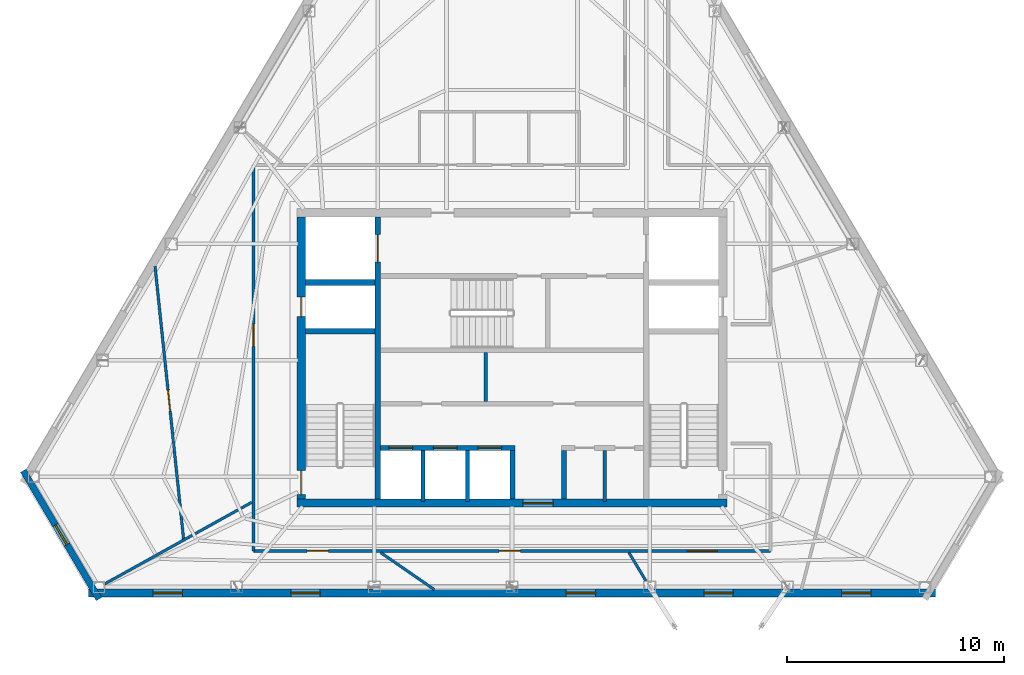
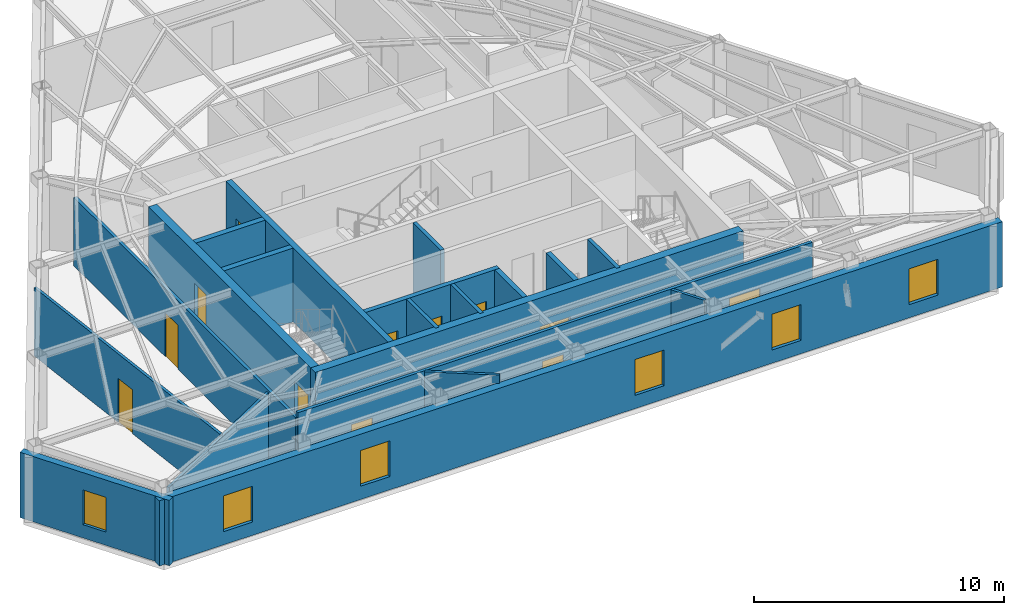
# One storey, part 7 of 10: 20 walls, 12 doors, 6 windows, 18 openings.
"""IFC4 building model written with IfcOpenShell, lengths in metres."""

from ifc_helpers import new_model, si_unit, direction, frame, frame_2d, origin, place, context, subcontext, project, spatial, rectangle, extrude, material, layer, layer_set, type_object, element, fill, save


model = new_model("IFC4")

# Units and contexts
model_context = context("Model", 3, precision=1e-05, world=origin(), true_north=direction((0.0, 1.0)))
body_context = subcontext(model_context, "Body", "Model", "MODEL_VIEW")
ifc_project = project(units=[si_unit("LENGTHUNIT", "METRE"), si_unit("AREAUNIT", "SQUARE_METRE"), si_unit("VOLUMEUNIT", "CUBIC_METRE"), si_unit("PLANEANGLEUNIT", "RADIAN"), si_unit("MASSUNIT", "GRAM", prefix="KILO")], contexts=[model_context])

# Site, building, storey
site_placement = place(None, origin())
site = spatial("IfcSite", under=ifc_project, at=site_placement, CompositionType="ELEMENT")
building_placement = place(site_placement, origin())
building = spatial("IfcBuilding", under=site, at=building_placement, Name="Kavelnor Concourse Tower", CompositionType="ELEMENT")
storey_placement = place(building_placement, frame((0.0, 0.0, 274.14990234375)))
storey = spatial("IfcBuildingStorey", under=building, at=storey_placement, Name="L69", CompositionType="ELEMENT", Elevation=274.14990234375)

# Wall, opening, door
ifc_material_1 = material(Name="Concrete C50/60", Category="concrete")
ifc_layer_1 = layer(ifc_material_1, 0.3798828125, Name="Concrete C50/60")
ifc_layer_set_1 = layer_set([ifc_layer_1], Name="Concrete C50/60")
wall_type_1 = type_object("IfcWallType", Name="WL-CORE-Z4-380", PredefinedType="SOLIDWALL", material=ifc_layer_set_1)
wall_1_placement = place(storey_placement, frame((28.10009765625, 9.409912109375, 0.0), z_axis=(0.0, 0.0, 1.0), x_axis=(1.0, 0.0, 0.0)))
wall_1 = element("IfcWall", 1, at=wall_1_placement, inside=storey, type_object=wall_type_1, Name="L69 Central Core South Shear Wall", PredefinedType="SOLIDWALL", context=body_context, shape_type="SweptSolid", body=[
    extrude(rectangle(XDim=19.7998046875, YDim=0.3798828125, at=frame_2d((9.89990234375, 0.0))), origin(), (0.0, 0.0, 1.0), 3.610107421875),
])
opening_1_placement = place(wall_1_placement, frame((10.39990234375, 0.0, 0.0)))
opening_1 = element("IfcOpeningElement", 2, at=opening_1_placement, cuts=wall_1, Name="Opening SD-140", PredefinedType="OPENING", context=body_context, shape_type="SweptSolid", body=[
    extrude(rectangle(XDim=1.39990234375, YDim=2.199951171875, at=frame_2d((0.699951171875, 1.10009765625))), frame((0.0, 0.199951171875, 0.0), z_axis=(0.0, -1.0, 0.0), x_axis=(1.0, 0.0, 0.0)), (0.0, 0.0, 1.0), 0.39990234375),
])
ifc_material_2 = material(Name="Solid-core hardwood timber", Category="wood")
door_type_1 = type_object("IfcDoorType", Name="DR-SUITE-ENTRY-1400", OperationType="NOTDEFINED", PredefinedType="DOOR", material=ifc_material_2)
door_1_placement = place(opening_1_placement, origin())
door_1 = element("IfcDoor", 3, at=door_1_placement, inside=storey, type_object=door_type_1, Name="L69 Passenger Lift Lobby Entry Door", OperationType="SINGLE_SWING_RIGHT", OverallHeight=2.199951171875, OverallWidth=1.39990234375, PredefinedType="DOOR", context=body_context, shape_type="SweptSolid", body=[
    extrude(rectangle(XDim=1.39990234375, YDim=2.199951171875, at=frame_2d((0.699951171875, 1.10009765625))), frame((0.0, 0.02490234375, 0.0), z_axis=(0.0, -1.0, 0.0), x_axis=(1.0, 0.0, 0.0)), (0.0, 0.0, 1.0), 0.050048828125),
])
fill(opening_1, door_1)

# Wall, openings, doors
wall_2_placement = place(storey_placement, frame((28.2900390625, 9.60009765625, 0.0), z_axis=(0.0, 0.0, 1.0), x_axis=(0.0, 1.0, 0.0)))
wall_2 = element("IfcWall", 4, at=wall_2_placement, inside=storey, type_object=wall_type_1, Name="L69 Central Core West Shear Wall", PredefinedType="SOLIDWALL", context=body_context, shape_type="SweptSolid", body=[
    extrude(rectangle(XDim=13.0, YDim=0.3798828125, at=frame_2d((6.5, 0.0))), origin(), (0.0, 0.0, 1.0), 3.610107421875),
])
opening_2_placement = place(wall_2_placement, frame((0.199951171875, 0.0, 0.0)))
opening_2 = element("IfcOpeningElement", 5, at=opening_2_placement, cuts=wall_2, Name="Opening FD-110", PredefinedType="OPENING", context=body_context, shape_type="SweptSolid", body=[
    extrude(rectangle(XDim=1.10009765625, YDim=2.14990234375, at=frame_2d((0.550048828125, 1.074951171875))), frame((0.0, 0.199951171875, 0.0), z_axis=(0.0, -1.0, 0.0), x_axis=(1.0, 0.0, 0.0)), (0.0, 0.0, 1.0), 0.39990234375),
])
opening_3_placement = place(wall_2_placement, frame((8.39990234375, 0.0, 0.0)))
opening_3 = element("IfcOpeningElement", 6, at=opening_3_placement, cuts=wall_2, Name="Opening FD-090", PredefinedType="OPENING", context=body_context, shape_type="SweptSolid", body=[
    extrude(rectangle(XDim=0.89990234375, YDim=2.10009765625, at=frame_2d((0.449951171875, 1.050048828125))), frame((0.0, 0.199951171875, 0.0), z_axis=(0.0, -1.0, 0.0), x_axis=(1.0, 0.0, 0.0)), (0.0, 0.0, 1.0), 0.39990234375),
])
ifc_material_3 = material(Name="Steel Grade 350", Category="steel")
door_type_2 = type_object("IfcDoorType", Name="DR-RISER-FIRE-900", OperationType="NOTDEFINED", PredefinedType="DOOR", material=ifc_material_3)
door_2_placement = place(opening_3_placement, origin())
door_2 = element("IfcDoor", 7, at=door_2_placement, inside=storey, type_object=door_type_2, Name="L69 West Riser Access Door", OperationType="SINGLE_SWING_RIGHT", OverallHeight=2.10009765625, OverallWidth=0.89990234375, PredefinedType="DOOR", context=body_context, shape_type="SweptSolid", body=[
    extrude(rectangle(XDim=0.89990234375, YDim=2.10009765625, at=frame_2d((0.449951171875, 1.050048828125))), frame((0.0, 0.02490234375, 0.0), z_axis=(0.0, -1.0, 0.0), x_axis=(1.0, 0.0, 0.0)), (0.0, 0.0, 1.0), 0.050048828125),
])
fill(opening_3, door_2)
door_type_3 = type_object("IfcDoorType", Name="DR-STAIR-FIRE-1100", OperationType="NOTDEFINED", PredefinedType="DOOR", material=ifc_material_3)
door_3_placement = place(opening_2_placement, origin())
door_3 = element("IfcDoor", 8, at=door_3_placement, inside=storey, type_object=door_type_3, Name="L69 Stair ST1 Fire Door", OperationType="SINGLE_SWING_LEFT", OverallHeight=2.14990234375, OverallWidth=1.10009765625, PredefinedType="DOOR", context=body_context, shape_type="SweptSolid", body=[
    extrude(rectangle(XDim=1.10009765625, YDim=2.14990234375, at=frame_2d((0.550048828125, 1.074951171875))), frame((0.0, 0.02490234375, 0.0), z_axis=(0.0, -1.0, 0.0), x_axis=(1.0, 0.0, 0.0)), (0.0, 0.0, 1.0), 0.050048828125),
])
fill(opening_2, door_3)

# Wall, opening, window
ifc_material_4 = material(Name="Buff ironspot clay face brick masonry", Category="masonry")
ifc_layer_2 = layer(ifc_material_4, 0.300048828125, Name="Buff ironspot clay face brick masonry")
ifc_layer_set_2 = layer_set([ifc_layer_2], Name="Buff ironspot clay face brick masonry")
wall_type_2 = type_object("IfcWallType", Name="WL-EXT-BUFF-BRICK-FOLD-300", PredefinedType="STANDARD", material=ifc_layer_set_2)
wall_3_placement = place(storey_placement, frame((18.977294921875, 4.991455078125, 0.0), z_axis=(0.0, 0.0, 1.0), x_axis=(-0.508725717469, 0.86092865232, 0.0)))
wall_3 = element("IfcWall", 9, at=wall_3_placement, inside=storey, type_object=wall_type_2, Name="L69 Exterior Brick Facade Wall E2", PredefinedType="STANDARD", context=body_context, shape_type="SweptSolid", body=[
    extrude(rectangle(XDim=6.864501953125, YDim=0.300048828125, at=frame_2d((3.43212890625, 0.0))), origin(), (0.0, 0.0, 1.0), 3.196044921875),
])
opening_4_placement = place(wall_3_placement, frame((2.9072265625, 0.0, 0.64990234375)))
opening_4 = element("IfcOpeningElement", 10, at=opening_4_placement, cuts=wall_3, Name="Opening W-06", PredefinedType="OPENING", context=body_context, shape_type="SweptSolid", body=[
    extrude(rectangle(XDim=1.050048828125, YDim=1.699951171875, at=frame_2d((0.52490234375, 0.85009765625))), frame((0.0, 0.16015625, 0.0), z_axis=(0.0, -1.0, 0.0), x_axis=(1.0, 0.0, 0.0)), (0.0, 0.0, 1.0), 0.320068359375),
])
ifc_material_5 = material(Name="Double low-E argon insulated glazing", Category="glass")
window_type_1 = type_object("IfcWindowType", Name="WIN-FOLD-1050", PartitioningType="SINGLE_PANEL", PredefinedType="WINDOW", material=ifc_material_5)
window_1_placement = place(opening_4_placement, origin())
window_1 = element("IfcWindow", 11, at=window_1_placement, inside=storey, type_object=window_type_1, Name="L69 Chamfer-Fold Facet Window C1", OverallHeight=1.699951171875, OverallWidth=1.050048828125, PartitioningType="SINGLE_PANEL", PredefinedType="WINDOW", context=body_context, shape_type="SweptSolid", body=[
    extrude(rectangle(XDim=1.050048828125, YDim=1.699951171875, at=frame_2d((0.52490234375, 0.85009765625))), frame((0.0, 0.030029296875, 0.0), z_axis=(0.0, -1.0, 0.0), x_axis=(1.0, 0.0, 0.0)), (0.0, 0.0, 1.0), 0.06005859375),
])
fill(opening_4, window_1)

# Wall, openings, windows
ifc_material_6 = material(Name="Red-ochre clay face brick masonry", Category="masonry")
ifc_layer_3 = layer(ifc_material_6, 0.35009765625, Name="Red-ochre clay face brick masonry")
ifc_layer_set_3 = layer_set([ifc_layer_3], Name="Red-ochre clay face brick masonry")
wall_type_3 = type_object("IfcWallType", Name="WL-EXT-RED-BRICK-PIER-350", PredefinedType="STANDARD", material=ifc_layer_set_3)
wall_4_placement = place(storey_placement, frame((57.50537109375, 5.266845703125, 0.0), z_axis=(0.0, 0.0, 1.0), x_axis=(-1.0, 0.0, 0.0)))
wall_4 = element("IfcWall", 12, at=wall_4_placement, inside=storey, type_object=wall_type_3, Name="L69 Exterior Brick Facade Wall E3", PredefinedType="STANDARD", context=body_context, shape_type="SweptSolid", body=[
    extrude(rectangle(XDim=39.0107421875, YDim=0.35009765625, at=frame_2d((19.50537109375, 0.0))), origin(), (0.0, 0.0, 1.0), 3.196044921875),
])
opening_5_placement = place(wall_4_placement, frame((34.689697265625, 0.0, 0.64990234375)))
opening_5 = element("IfcOpeningElement", 13, at=opening_5_placement, cuts=wall_4, Name="Opening W-04", PredefinedType="OPENING", context=body_context, shape_type="SweptSolid", body=[
    extrude(rectangle(XDim=1.35009765625, YDim=1.75, at=frame_2d((0.675048828125, 0.875))), frame((0.0, 0.18505859375, 0.0), z_axis=(0.0, -1.0, 0.0), x_axis=(1.0, 0.0, 0.0)), (0.0, 0.0, 1.0), 0.3701171875),
])
opening_6_placement = place(wall_4_placement, frame((28.345947265625, 0.0, 0.64990234375)))
opening_6 = element("IfcOpeningElement", 14, at=opening_6_placement, cuts=wall_4, Name="Opening W-04", PredefinedType="OPENING", context=body_context, shape_type="SweptSolid", body=[
    extrude(rectangle(XDim=1.35009765625, YDim=1.75, at=frame_2d((0.675048828125, 0.875))), frame((0.0, 0.18505859375, 0.0), z_axis=(0.0, -1.0, 0.0), x_axis=(1.0, 0.0, 0.0)), (0.0, 0.0, 1.0), 0.3701171875),
])
opening_7_placement = place(wall_4_placement, frame((15.658447265625, 0.0, 0.64990234375)))
opening_7 = element("IfcOpeningElement", 15, at=opening_7_placement, cuts=wall_4, Name="Opening W-04", PredefinedType="OPENING", context=body_context, shape_type="SweptSolid", body=[
    extrude(rectangle(XDim=1.35009765625, YDim=1.75, at=frame_2d((0.675048828125, 0.875))), frame((0.0, 0.18505859375, 0.0), z_axis=(0.0, -1.0, 0.0), x_axis=(1.0, 0.0, 0.0)), (0.0, 0.0, 1.0), 0.3701171875),
])
opening_8_placement = place(wall_4_placement, frame((9.314697265625, 0.0, 0.64990234375)))
opening_8 = element("IfcOpeningElement", 16, at=opening_8_placement, cuts=wall_4, Name="Opening W-04", PredefinedType="OPENING", context=body_context, shape_type="SweptSolid", body=[
    extrude(rectangle(XDim=1.35009765625, YDim=1.75, at=frame_2d((0.675048828125, 0.875))), frame((0.0, 0.18505859375, 0.0), z_axis=(0.0, -1.0, 0.0), x_axis=(1.0, 0.0, 0.0)), (0.0, 0.0, 1.0), 0.3701171875),
])
opening_9_placement = place(wall_4_placement, frame((2.970703125, 0.0, 0.64990234375)))
opening_9 = element("IfcOpeningElement", 17, at=opening_9_placement, cuts=wall_4, Name="Opening W-04", PredefinedType="OPENING", context=body_context, shape_type="SweptSolid", body=[
    extrude(rectangle(XDim=1.35009765625, YDim=1.75, at=frame_2d((0.675048828125, 0.875))), frame((0.0, 0.18505859375, 0.0), z_axis=(0.0, -1.0, 0.0), x_axis=(1.0, 0.0, 0.0)), (0.0, 0.0, 1.0), 0.3701171875),
])
window_type_2 = type_object("IfcWindowType", Name="WIN-PIER-Z4-1350", PartitioningType="SINGLE_PANEL", PredefinedType="WINDOW", material=ifc_material_5)
window_2_placement = place(opening_5_placement, origin())
window_2 = element("IfcWindow", 18, at=window_2_placement, inside=storey, type_object=window_type_2, Name="L69 Deep-Set Brick Pier Window F1-B0", OverallHeight=1.75, OverallWidth=1.35009765625, PartitioningType="SINGLE_PANEL", PredefinedType="WINDOW", context=body_context, shape_type="SweptSolid", body=[
    extrude(rectangle(XDim=1.35009765625, YDim=1.75, at=frame_2d((0.675048828125, 0.875))), frame((0.0, 0.030029296875, 0.0), z_axis=(0.0, -1.0, 0.0), x_axis=(1.0, 0.0, 0.0)), (0.0, 0.0, 1.0), 0.06005859375),
])
fill(opening_5, window_2)
window_3_placement = place(opening_6_placement, origin())
window_3 = element("IfcWindow", 19, at=window_3_placement, inside=storey, type_object=window_type_2, Name="L69 Deep-Set Brick Pier Window F1-B1", OverallHeight=1.75, OverallWidth=1.35009765625, PartitioningType="SINGLE_PANEL", PredefinedType="WINDOW", context=body_context, shape_type="SweptSolid", body=[
    extrude(rectangle(XDim=1.35009765625, YDim=1.75, at=frame_2d((0.675048828125, 0.875))), frame((0.0, 0.030029296875, 0.0), z_axis=(0.0, -1.0, 0.0), x_axis=(1.0, 0.0, 0.0)), (0.0, 0.0, 1.0), 0.06005859375),
])
fill(opening_6, window_3)
window_4_placement = place(opening_7_placement, origin())
window_4 = element("IfcWindow", 20, at=window_4_placement, inside=storey, type_object=window_type_2, Name="L69 Deep-Set Brick Pier Window F1-B3", OverallHeight=1.75, OverallWidth=1.35009765625, PartitioningType="SINGLE_PANEL", PredefinedType="WINDOW", context=body_context, shape_type="SweptSolid", body=[
    extrude(rectangle(XDim=1.35009765625, YDim=1.75, at=frame_2d((0.675048828125, 0.875))), frame((0.0, 0.030029296875, 0.0), z_axis=(0.0, -1.0, 0.0), x_axis=(1.0, 0.0, 0.0)), (0.0, 0.0, 1.0), 0.06005859375),
])
fill(opening_7, window_4)
window_5_placement = place(opening_8_placement, origin())
window_5 = element("IfcWindow", 21, at=window_5_placement, inside=storey, type_object=window_type_2, Name="L69 Deep-Set Brick Pier Window F1-B4", OverallHeight=1.75, OverallWidth=1.35009765625, PartitioningType="SINGLE_PANEL", PredefinedType="WINDOW", context=body_context, shape_type="SweptSolid", body=[
    extrude(rectangle(XDim=1.35009765625, YDim=1.75, at=frame_2d((0.675048828125, 0.875))), frame((0.0, 0.030029296875, 0.0), z_axis=(0.0, -1.0, 0.0), x_axis=(1.0, 0.0, 0.0)), (0.0, 0.0, 1.0), 0.06005859375),
])
fill(opening_8, window_5)
window_6_placement = place(opening_9_placement, origin())
window_6 = element("IfcWindow", 22, at=window_6_placement, inside=storey, type_object=window_type_2, Name="L69 Deep-Set Brick Pier Window F1-B5", OverallHeight=1.75, OverallWidth=1.35009765625, PartitioningType="SINGLE_PANEL", PredefinedType="WINDOW", context=body_context, shape_type="SweptSolid", body=[
    extrude(rectangle(XDim=1.35009765625, YDim=1.75, at=frame_2d((0.675048828125, 0.875))), frame((0.0, 0.030029296875, 0.0), z_axis=(0.0, -1.0, 0.0), x_axis=(1.0, 0.0, 0.0)), (0.0, 0.0, 1.0), 0.06005859375),
])
fill(opening_9, window_6)

# Wall, openings, doors
ifc_material_7 = material(Name="Gypsum plasterboard on light-gauge steel studs", Category="steel")
ifc_layer_4 = layer(ifc_material_7, 0.14501953125, Name="Gypsum plasterboard on light-gauge steel studs")
ifc_layer_set_4 = layer_set([ifc_layer_4], Name="Gypsum plasterboard on light-gauge steel studs")
wall_type_4 = type_object("IfcWallType", Name="WL-INT-CORR-145", PredefinedType="PARTITIONING", material=ifc_layer_set_4)
wall_5_placement = place(storey_placement, frame((49.909912109375, 7.2099609375, 0.0), z_axis=(0.0, 0.0, 1.0), x_axis=(-1.0, 0.0, 0.0)))
wall_5 = element("IfcWall", 23, at=wall_5_placement, inside=storey, type_object=wall_type_4, Name="L69 Corridor Wall WL-L69-CR-09", PredefinedType="PARTITIONING", context=body_context, shape_type="SweptSolid", body=[
    extrude(rectangle(XDim=23.81982421875, YDim=0.14501953125, at=frame_2d((11.909912109375, 0.0))), origin(), (0.0, 0.0, 1.0), 3.610107421875),
])
opening_10_placement = place(wall_5_placement, frame((11.5283203125, 0.0, 0.0)))
opening_10 = element("IfcOpeningElement", 24, at=opening_10_placement, cuts=wall_5, Name="Opening OD-098", PredefinedType="OPENING", context=body_context, shape_type="SweptSolid", body=[
    extrude(rectangle(XDim=0.97998046875, YDim=2.14990234375, at=frame_2d((0.489990234375, 1.074951171875))), frame((0.0, 0.08251953125, 0.0), z_axis=(0.0, -1.0, 0.0), x_axis=(1.0, 0.0, 0.0)), (0.0, 0.0, 1.0), 0.1650390625),
])
opening_11_placement = place(wall_5_placement, frame((20.37109375, 0.0, 0.0)))
opening_11 = element("IfcOpeningElement", 25, at=opening_11_placement, cuts=wall_5, Name="Opening OD-098", PredefinedType="OPENING", context=body_context, shape_type="SweptSolid", body=[
    extrude(rectangle(XDim=0.97998046875, YDim=2.14990234375, at=frame_2d((0.489990234375, 1.074951171875))), frame((0.0, 0.08251953125, 0.0), z_axis=(0.0, -1.0, 0.0), x_axis=(1.0, 0.0, 0.0)), (0.0, 0.0, 1.0), 0.1650390625),
])
opening_12_placement = place(wall_5_placement, frame((2.444091796875, 0.0, 0.0)))
opening_12 = element("IfcOpeningElement", 26, at=opening_12_placement, cuts=wall_5, Name="Opening SD-140", PredefinedType="OPENING", context=body_context, shape_type="SweptSolid", body=[
    extrude(rectangle(XDim=1.39990234375, YDim=2.199951171875, at=frame_2d((0.699951171875, 1.10009765625))), frame((0.0, 0.08251953125, 0.0), z_axis=(0.0, -1.0, 0.0), x_axis=(1.0, 0.0, 0.0)), (0.0, 0.0, 1.0), 0.1650390625),
])
door_type_4 = type_object("IfcDoorType", Name="DR-OFFICE-980", OperationType="NOTDEFINED", PredefinedType="DOOR", material=ifc_material_2)
door_4_placement = place(opening_10_placement, origin())
door_4 = element("IfcDoor", 27, at=door_4_placement, inside=storey, type_object=door_type_4, Name="L69 Technical Reference Library 05 Door", OperationType="SINGLE_SWING_LEFT", OverallHeight=2.14990234375, OverallWidth=0.97998046875, PredefinedType="DOOR", context=body_context, shape_type="SweptSolid", body=[
    extrude(rectangle(XDim=0.97998046875, YDim=2.14990234375, at=frame_2d((0.489990234375, 1.074951171875))), frame((0.0, 0.02490234375, 0.0), z_axis=(0.0, -1.0, 0.0), x_axis=(1.0, 0.0, 0.0)), (0.0, 0.0, 1.0), 0.050048828125),
])
fill(opening_10, door_4)
door_5_placement = place(opening_11_placement, origin())
door_5 = element("IfcDoor", 28, at=door_5_placement, inside=storey, type_object=door_type_4, Name="L69 Technical Reference Library 06 Door", OperationType="SINGLE_SWING_RIGHT", OverallHeight=2.14990234375, OverallWidth=0.97998046875, PredefinedType="DOOR", context=body_context, shape_type="SweptSolid", body=[
    extrude(rectangle(XDim=0.97998046875, YDim=2.14990234375, at=frame_2d((0.489990234375, 1.074951171875))), frame((0.0, 0.02490234375, 0.0), z_axis=(0.0, -1.0, 0.0), x_axis=(1.0, 0.0, 0.0)), (0.0, 0.0, 1.0), 0.050048828125),
])
fill(opening_11, door_5)
door_6_placement = place(opening_12_placement, origin())
door_6 = element("IfcDoor", 29, at=door_6_placement, inside=storey, type_object=door_type_1, Name="L69 Workplace Open Office 07 Door", OperationType="SINGLE_SWING_LEFT", OverallHeight=2.199951171875, OverallWidth=1.39990234375, PredefinedType="DOOR", context=body_context, shape_type="SweptSolid", body=[
    extrude(rectangle(XDim=1.39990234375, YDim=2.199951171875, at=frame_2d((0.699951171875, 1.10009765625))), frame((0.0, 0.02490234375, 0.0), z_axis=(0.0, -1.0, 0.0), x_axis=(1.0, 0.0, 0.0)), (0.0, 0.0, 1.0), 0.050048828125),
])
fill(opening_12, door_6)

# Wall, opening, door
wall_6_placement = place(storey_placement, frame((26.090087890625, 7.2099609375, 0.0), z_axis=(0.0, 0.0, 1.0), x_axis=(0.0, 1.0, 0.0)))
wall_6 = element("IfcWall", 30, at=wall_6_placement, inside=storey, type_object=wall_type_4, Name="L69 Corridor Wall WL-L69-CR-10", PredefinedType="PARTITIONING", context=body_context, shape_type="SweptSolid", body=[
    extrude(rectangle(XDim=17.780029296875, YDim=0.14501953125, at=frame_2d((8.89013671875, 0.0))), origin(), (0.0, 0.0, 1.0), 3.34912109375),
])
opening_13_placement = place(wall_6_placement, frame((9.4248046875, 0.0, 0.0)))
opening_13 = element("IfcOpeningElement", 31, at=opening_13_placement, cuts=wall_6, Name="Opening MD-102", PredefinedType="OPENING", context=body_context, shape_type="SweptSolid", body=[
    extrude(rectangle(XDim=1.02001953125, YDim=2.14990234375, at=frame_2d((0.510009765625, 1.074951171875))), frame((0.0, 0.08251953125, 0.0), z_axis=(0.0, -1.0, 0.0), x_axis=(1.0, 0.0, 0.0)), (0.0, 0.0, 1.0), 0.1650390625),
])
ifc_material_8 = material(Name="Acoustic glazed timber frame", Category="wood")
door_type_5 = type_object("IfcDoorType", Name="DR-MEETING-1020", OperationType="NOTDEFINED", PredefinedType="DOOR", material=ifc_material_8)
door_7_placement = place(opening_13_placement, origin())
door_7 = element("IfcDoor", 32, at=door_7_placement, inside=storey, type_object=door_type_5, Name="L69 Client Boardroom 03 Door", OperationType="SINGLE_SWING_LEFT", OverallHeight=2.14990234375, OverallWidth=1.02001953125, PredefinedType="DOOR", context=body_context, shape_type="SweptSolid", body=[
    extrude(rectangle(XDim=1.02001953125, YDim=2.14990234375, at=frame_2d((0.510009765625, 1.074951171875))), frame((0.0, 0.02490234375, 0.0), z_axis=(0.0, -1.0, 0.0), x_axis=(1.0, 0.0, 0.0)), (0.0, 0.0, 1.0), 0.050048828125),
])
fill(opening_13, door_7)

# Walls
ifc_layer_5 = layer(ifc_material_7, 0.1650390625, Name="Gypsum plasterboard on light-gauge steel studs")
ifc_layer_set_5 = layer_set([ifc_layer_5], Name="Gypsum plasterboard on light-gauge steel studs")
wall_type_5 = type_object("IfcWallType", Name="WL-INT-FIRE-165", PredefinedType="PARTITIONING", material=ifc_layer_set_5)
for number, where, z_axis, x_axis, name in (
    (33, (33.89990234375, 9.489990234375, 0.0), (0.0, 0.0, 1.0), (0.0, 1.0, 0.0), "L69 Lift Shaft Divider LP7"),
    (34, (35.949951171875, 9.489990234375, 0.0), (0.0, 0.0, 1.0), (0.0, 1.0, 0.0), "L69 Lift Shaft Divider LP8"),
):
    element("IfcWall", number, at=place(storey_placement, frame(where, z_axis=z_axis, x_axis=x_axis)), inside=storey, type_object=wall_type_5, Name=name, PredefinedType="PARTITIONING", context=body_context, shape_type="SweptSolid", body=[
        extrude(rectangle(XDim=2.35009765625, YDim=0.1650390625, at=frame_2d((1.175048828125, 0.0))), origin(), (0.0, 0.0, 1.0), 3.610107421875),
    ])
wall_7_placement = place(storey_placement, frame((36.800048828125, 14.10009765625, 0.0), z_axis=(0.0, 0.0, 1.0), x_axis=(0.0, 1.0, 0.0)))
element("IfcWall", 35, at=wall_7_placement, inside=storey, type_object=wall_type_5, Name="L69 Reclaimed Core Partition A", PredefinedType="PARTITIONING", context=body_context, shape_type="SweptSolid", body=[
    extrude(rectangle(XDim=2.239990234375, YDim=0.1650390625, at=frame_2d((1.1201171875, 0.0))), origin(), (0.0, 0.0, 1.0), 3.610107421875),
])
wall_8_placement = place(storey_placement, frame((42.280029296875, 9.489990234375, 0.0), z_axis=(0.0, 0.0, 1.0), x_axis=(0.0, 1.0, 0.0)))
element("IfcWall", 36, at=wall_8_placement, inside=storey, type_object=wall_type_5, Name="L69 Core Support Divider", PredefinedType="PARTITIONING", context=body_context, shape_type="SweptSolid", body=[
    extrude(rectangle(XDim=2.35009765625, YDim=0.1650390625, at=frame_2d((1.175048828125, 0.0))), origin(), (0.0, 0.0, 1.0), 3.610107421875),
])
ifc_layer_6 = layer(ifc_material_7, 0.125, Name="Gypsum plasterboard on light-gauge steel studs")
ifc_layer_set_6 = layer_set([ifc_layer_6], Name="Gypsum plasterboard on light-gauge steel studs")
wall_type_6 = type_object("IfcWallType", Name="WL-INT-SUITE-125", PredefinedType="PARTITIONING", material=ifc_layer_set_6)
wall_9_placement = place(storey_placement, frame((26.009521484375, 9.44482421875, 0.0), z_axis=(0.0, 0.0, 1.0), x_axis=(-0.874347500964, -0.485300368389, 0.0)))
element("IfcWall", 37, at=wall_9_placement, inside=storey, type_object=wall_type_6, Name="L69 Radial Suite Partition 03", PredefinedType="PARTITIONING", context=body_context, shape_type="SweptSolid", body=[
    extrude(rectangle(XDim=7.746337890625, YDim=0.125, at=frame_2d((3.873046875, 0.0))), origin(), (0.0, 0.0, 1.0), 3.24609375),
])
wall_10_placement = place(storey_placement, frame((43.38720703125, 7.12939453125, 0.0), z_axis=(0.0, 0.0, 1.0), x_axis=(0.514920310526, -0.857238049673, 0.0)))
element("IfcWall", 38, at=wall_10_placement, inside=storey, type_object=wall_type_6, Name="L69 Radial Suite Partition 04", PredefinedType="PARTITIONING", context=body_context, shape_type="SweptSolid", body=[
    extrude(rectangle(XDim=1.52197265625, YDim=0.125, at=frame_2d((0.760986328125, 0.0))), origin(), (0.0, 0.0, 1.0), 3.610107421875),
])

# Wall, opening, door
wall_11_placement = place(storey_placement, frame((21.55517578125, 20.32080078125, 0.0), z_axis=(0.0, 0.0, 1.0), x_axis=(0.104108921444, -0.994565901525, 0.0)))
wall_11 = element("IfcWall", 39, at=wall_11_placement, inside=storey, type_object=wall_type_6, Name="L69 Suite Subdivision Partition 02", PredefinedType="PARTITIONING", context=body_context, shape_type="SweptSolid", body=[
    extrude(rectangle(XDim=12.66796875, YDim=0.125, at=frame_2d((6.333984375, 0.0))), origin(), (0.0, 0.0, 1.0), 3.34912109375),
])
opening_14_placement = place(wall_11_placement, frame((5.731201171875, 0.0, 0.0)))
opening_14 = element("IfcOpeningElement", 40, at=opening_14_placement, cuts=wall_11, Name="Opening OD-098", PredefinedType="OPENING", context=body_context, shape_type="SweptSolid", body=[
    extrude(rectangle(XDim=0.97998046875, YDim=2.14990234375, at=frame_2d((0.489990234375, 1.074951171875))), frame((0.0, 0.072509765625, 0.0), z_axis=(0.0, -1.0, 0.0), x_axis=(1.0, 0.0, 0.0)), (0.0, 0.0, 1.0), 0.14501953125),
])
door_8_placement = place(opening_14_placement, origin())
door_8 = element("IfcDoor", 41, at=door_8_placement, inside=storey, type_object=door_type_4, Name="L69 Technical Reference Library 04 Door", OperationType="SINGLE_SWING_RIGHT", OverallHeight=2.14990234375, OverallWidth=0.97998046875, PredefinedType="DOOR", context=body_context, shape_type="SweptSolid", body=[
    extrude(rectangle(XDim=0.97998046875, YDim=2.14990234375, at=frame_2d((0.489990234375, 1.074951171875))), frame((0.0, 0.02490234375, 0.0), z_axis=(0.0, -1.0, 0.0), x_axis=(1.0, 0.0, 0.0)), (0.0, 0.0, 1.0), 0.050048828125),
])
fill(opening_14, door_8)

# Wall
wall_12_placement = place(storey_placement, frame((31.9521484375, 7.12939453125, 0.0), z_axis=(0.0, 0.0, 1.0), x_axis=(0.82280128664, -0.568329167564, 0.0)))
element("IfcWall", 42, at=wall_12_placement, inside=storey, type_object=wall_type_6, Name="L69 Suite Subdivision Partition 03", PredefinedType="PARTITIONING", context=body_context, shape_type="SweptSolid", body=[
    extrude(rectangle(XDim=3.013427734375, YDim=0.125, at=frame_2d((1.5068359375, 0.0))), origin(), (0.0, 0.0, 1.0), 3.610107421875),
])

# Wall, openings, doors
ifc_layer_7 = layer(ifc_material_1, 0.219970703125, Name="Concrete C50/60")
ifc_layer_set_7 = layer_set([ifc_layer_7], Name="Concrete C50/60")
wall_type_7 = type_object("IfcWallType", Name="WL-SHAFT-220", PredefinedType="SOLIDWALL", material=ifc_layer_set_7)
wall_13_placement = place(storey_placement, frame((31.93994140625, 11.949951171875, 0.0), z_axis=(0.0, 0.0, 1.0), x_axis=(1.0, 0.0, 0.0)))
wall_13 = element("IfcWall", 43, at=wall_13_placement, inside=storey, type_object=wall_type_7, Name="L69 High-Rise Lift Bank North Wall", PredefinedType="SOLIDWALL", context=body_context, shape_type="SweptSolid", body=[
    extrude(rectangle(XDim=6.18994140625, YDim=0.219970703125, at=frame_2d((3.094970703125, 0.0))), origin(), (0.0, 0.0, 1.0), 3.610107421875),
])
opening_15_placement = place(wall_13_placement, frame((0.385009765625, 0.0, 0.0)))
opening_15 = element("IfcOpeningElement", 44, at=opening_15_placement, cuts=wall_13, Name="Opening LD-110", PredefinedType="OPENING", context=body_context, shape_type="SweptSolid", body=[
    extrude(rectangle(XDim=1.10009765625, YDim=2.199951171875, at=frame_2d((0.550048828125, 1.10009765625))), frame((0.0, 0.1201171875, 0.0), z_axis=(0.0, -1.0, 0.0), x_axis=(1.0, 0.0, 0.0)), (0.0, 0.0, 1.0), 0.239990234375),
])
opening_16_placement = place(wall_13_placement, frame((2.43505859375, 0.0, 0.0)))
opening_16 = element("IfcOpeningElement", 45, at=opening_16_placement, cuts=wall_13, Name="Opening LD-110", PredefinedType="OPENING", context=body_context, shape_type="SweptSolid", body=[
    extrude(rectangle(XDim=1.10009765625, YDim=2.199951171875, at=frame_2d((0.550048828125, 1.10009765625))), frame((0.0, 0.1201171875, 0.0), z_axis=(0.0, -1.0, 0.0), x_axis=(1.0, 0.0, 0.0)), (0.0, 0.0, 1.0), 0.239990234375),
])
opening_17_placement = place(wall_13_placement, frame((4.485107421875, 0.0, 0.0)))
opening_17 = element("IfcOpeningElement", 46, at=opening_17_placement, cuts=wall_13, Name="Opening LD-110", PredefinedType="OPENING", context=body_context, shape_type="SweptSolid", body=[
    extrude(rectangle(XDim=1.10009765625, YDim=2.199951171875, at=frame_2d((0.550048828125, 1.10009765625))), frame((0.0, 0.1201171875, 0.0), z_axis=(0.0, -1.0, 0.0), x_axis=(1.0, 0.0, 0.0)), (0.0, 0.0, 1.0), 0.239990234375),
])
door_type_6 = type_object("IfcDoorType", Name="DR-LIFT-SLIDING-1100", OperationType="NOTDEFINED", PredefinedType="DOOR", material=ifc_material_3)
door_9_placement = place(opening_15_placement, origin())
door_9 = element("IfcDoor", 47, at=door_9_placement, inside=storey, type_object=door_type_6, Name="L69 Lift LP7 Landing Door", OperationType="DOUBLE_DOOR_SLIDING", OverallHeight=2.199951171875, OverallWidth=1.10009765625, PredefinedType="DOOR", context=body_context, shape_type="SweptSolid", body=[
    extrude(rectangle(XDim=1.10009765625, YDim=2.199951171875, at=frame_2d((0.550048828125, 1.10009765625))), frame((0.0, 0.02490234375, 0.0), z_axis=(0.0, -1.0, 0.0), x_axis=(1.0, 0.0, 0.0)), (0.0, 0.0, 1.0), 0.050048828125),
])
fill(opening_15, door_9)
door_10_placement = place(opening_16_placement, origin())
door_10 = element("IfcDoor", 48, at=door_10_placement, inside=storey, type_object=door_type_6, Name="L69 Lift LP8 Landing Door", OperationType="DOUBLE_DOOR_SLIDING", OverallHeight=2.199951171875, OverallWidth=1.10009765625, PredefinedType="DOOR", context=body_context, shape_type="SweptSolid", body=[
    extrude(rectangle(XDim=1.10009765625, YDim=2.199951171875, at=frame_2d((0.550048828125, 1.10009765625))), frame((0.0, 0.02490234375, 0.0), z_axis=(0.0, -1.0, 0.0), x_axis=(1.0, 0.0, 0.0)), (0.0, 0.0, 1.0), 0.050048828125),
])
fill(opening_16, door_10)
door_11_placement = place(opening_17_placement, origin())
door_11 = element("IfcDoor", 49, at=door_11_placement, inside=storey, type_object=door_type_6, Name="L69 Lift LP9 Landing Door", OperationType="DOUBLE_DOOR_SLIDING", OverallHeight=2.199951171875, OverallWidth=1.10009765625, PredefinedType="DOOR", context=body_context, shape_type="SweptSolid", body=[
    extrude(rectangle(XDim=1.10009765625, YDim=2.199951171875, at=frame_2d((0.550048828125, 1.10009765625))), frame((0.0, 0.02490234375, 0.0), z_axis=(0.0, -1.0, 0.0), x_axis=(1.0, 0.0, 0.0)), (0.0, 0.0, 1.0), 0.050048828125),
])
fill(opening_17, door_11)

# Walls
for number, where, z_axis, x_axis, name in (
    (50, (38.02001953125, 9.60009765625, 0.0), (0.0, 0.0, 1.0), (0.0, 1.0, 0.0), "L69 Lift Lobby Throat West Wall"),
    (51, (40.389892578125, 9.60009765625, 0.0), (0.0, 0.0, 1.0), (0.0, 1.0, 0.0), "L69 Lift Lobby Throat East Wall"),
):
    element("IfcWall", number, at=place(storey_placement, frame(where, z_axis=z_axis, x_axis=x_axis)), inside=storey, type_object=wall_type_7, Name=name, PredefinedType="SOLIDWALL", context=body_context, shape_type="SweptSolid", body=[
        extrude(rectangle(XDim=2.239990234375, YDim=0.219970703125, at=frame_2d((1.1201171875, 0.0))), origin(), (0.0, 0.0, 1.0), 3.610107421875),
    ])

# Wall, opening, door
ifc_layer_8 = layer(ifc_material_1, 0.260009765625, Name="Concrete C50/60")
ifc_layer_set_8 = layer_set([ifc_layer_8], Name="Concrete C50/60")
wall_type_8 = type_object("IfcWallType", Name="WL-SHAFT-260", PredefinedType="SHEAR", material=ifc_layer_set_8)
wall_14_placement = place(storey_placement, frame((31.81005859375, 9.60009765625, 0.0), z_axis=(0.0, 0.0, 1.0), x_axis=(0.0, 1.0, 0.0)))
wall_14 = element("IfcWall", 52, at=wall_14_placement, inside=storey, type_object=wall_type_8, Name="L69 Core West Wing Shear Wall", PredefinedType="SHEAR", context=body_context, shape_type="SweptSolid", body=[
    extrude(rectangle(XDim=13.0, YDim=0.260009765625, at=frame_2d((6.5, 0.0))), origin(), (0.0, 0.0, 1.0), 3.610107421875),
])
opening_18_placement = place(wall_14_placement, frame((10.925048828125, 0.0, 0.0)))
opening_18 = element("IfcOpeningElement", 53, at=opening_18_placement, cuts=wall_14, Name="Opening LD-125", PredefinedType="OPENING", context=body_context, shape_type="SweptSolid", body=[
    extrude(rectangle(XDim=1.25, YDim=2.25, at=frame_2d((0.625, 1.125))), frame((0.0, 0.14013671875, 0.0), z_axis=(0.0, -1.0, 0.0), x_axis=(1.0, 0.0, 0.0)), (0.0, 0.0, 1.0), 0.280029296875),
])
door_type_7 = type_object("IfcDoorType", Name="DR-LIFT-SLIDING-1250", OperationType="NOTDEFINED", PredefinedType="DOOR", material=ifc_material_3)
door_12_placement = place(opening_18_placement, origin())
door_12 = element("IfcDoor", 54, at=door_12_placement, inside=storey, type_object=door_type_7, Name="L69 Emergency Lift FL1 Landing Door", OperationType="DOUBLE_DOOR_SLIDING", OverallHeight=2.25, OverallWidth=1.25, PredefinedType="DOOR", context=body_context, shape_type="SweptSolid", body=[
    extrude(rectangle(XDim=1.25, YDim=2.25, at=frame_2d((0.625, 1.125))), frame((0.0, 0.02490234375, 0.0), z_axis=(0.0, -1.0, 0.0), x_axis=(1.0, 0.0, 0.0)), (0.0, 0.0, 1.0), 0.050048828125),
])
fill(opening_18, door_12)

# Walls
for number, where, z_axis, x_axis, name in (
    (55, (28.47998046875, 17.330078125, 0.0), (0.0, 0.0, 1.0), (1.0, 0.0, 0.0), "L69 Stair ST1 North Shaft Wall"),
    (56, (28.47998046875, 19.570068359375, 0.0), (0.0, 0.0, 1.0), (1.0, 0.0, 0.0), "L69 Emergency Lift FL1 South Shaft Wall"),
):
    element("IfcWall", number, at=place(storey_placement, frame(where, z_axis=z_axis, x_axis=x_axis)), inside=storey, type_object=wall_type_8, Name=name, PredefinedType="SHEAR", context=body_context, shape_type="SweptSolid", body=[
        extrude(rectangle(XDim=3.199951171875, YDim=0.260009765625, at=frame_2d((1.60009765625, 0.0))), origin(), (0.0, 0.0, 1.0), 3.610107421875),
    ])

save(model, "model.ifc")
